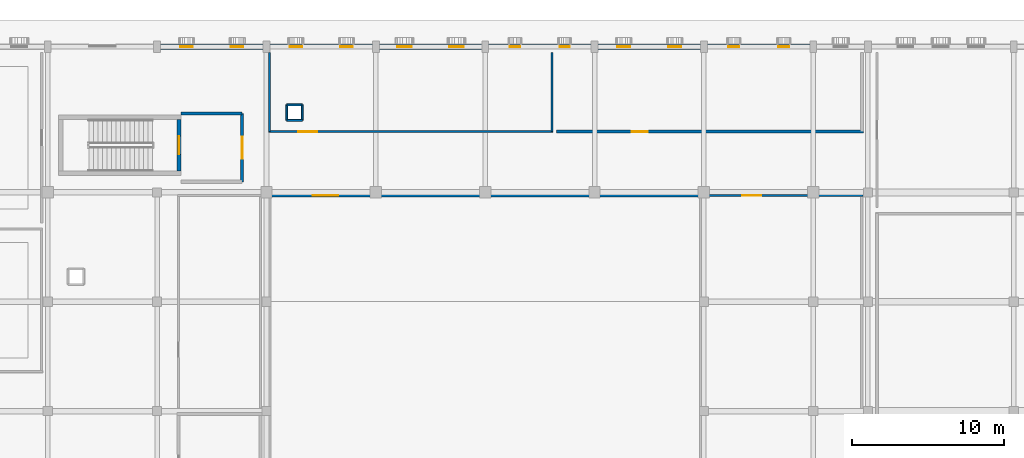
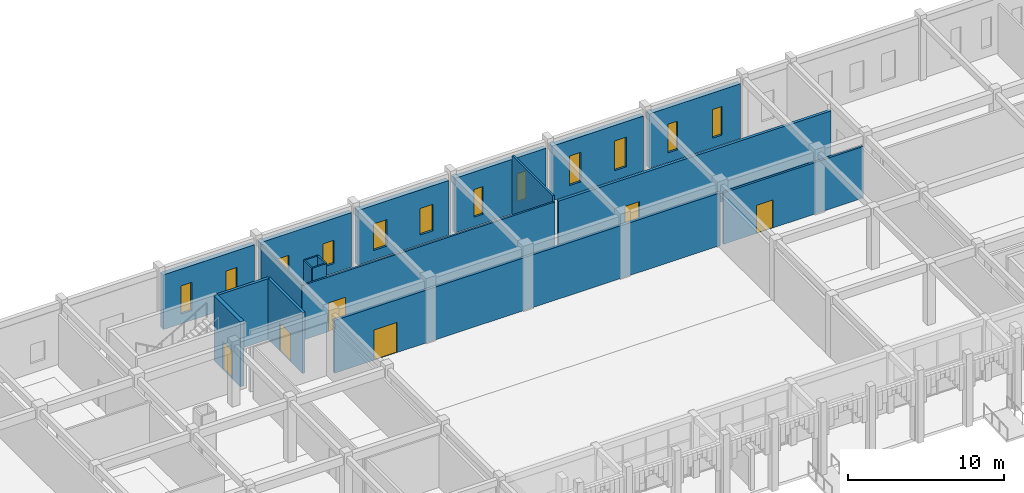
# One storey, part 40 of 72: 19 walls, 12 windows, 6 doors, 18 openings.
"""IFC4 building model written with IfcOpenShell, lengths in metres."""

import ifcopenshell
import ifcopenshell.guid

model = None  # the IFC model being written
_history = None  # IfcOwnerHistory: only IFC2X3 demands one
_inside = {}  # id of a spatial element -> (the spatial element, [elements in it])
_under = {}  # id of a project, library or spatial element -> (it, [spatial elements below it])
_declared = {}  # id of a project -> (the project, [libraries it declares])
_typed = {}  # id of a type object -> (the type object, [elements of that type])
_made_of = {}  # id of a material, layer set ... -> (it, [elements and type objects made of it])


def new_model(schema):
    """Start an empty IFC model of exactly this schema.

    Asked for "IFC4X3", IfcOpenShell would pick the latest addendum, in which some entities
    have other attributes; the version numbers below select the first issue.
    IFC2X3 requires an IfcOwnerHistory on every rooted entity: one is made here for all.
    """
    global model, _history
    if schema == "IFC4X3":
        model = ifcopenshell.file(schema_version=(4, 3, 0, 0))
    else:
        model = ifcopenshell.file(schema=schema)
    _inside.clear()
    _under.clear()
    _declared.clear()
    _typed.clear()
    _made_of.clear()
    _history = None
    if model.schema == "IFC2X3":
        org = make("IfcOrganization", Name="unknown")
        user = make(
            "IfcPersonAndOrganization",
            ThePerson=make("IfcPerson", FamilyName="unknown"),
            TheOrganization=org,
        )
        app = make(
            "IfcApplication",
            ApplicationDeveloper=org,
            Version="unknown",
            ApplicationFullName="unknown",
            ApplicationIdentifier="unknown",
        )
        _history = make(
            "IfcOwnerHistory",
            OwningUser=user,
            OwningApplication=app,
            ChangeAction="ADDED",
            CreationDate=0,
        )
    return model


def make(cls, **values):
    """One entity of the class cls with the attributes given. An attribute that is None is left unset."""
    return model.create_entity(
        cls, **{name: value for name, value in values.items() if value is not None}
    )


def rooted(cls, **values):
    """An entity with a GlobalId (a new one), such as an element, a storey or a relation."""
    return make(cls, GlobalId=ifcopenshell.guid.new(), OwnerHistory=_history, **values)


def si_unit(unit_type, name, prefix=None):
    """IfcSIUnit, for example si_unit("LENGTHUNIT", "METRE", prefix="MILLI")."""
    return make("IfcSIUnit", UnitType=unit_type, Prefix=prefix, Name=name)


def assignment(units):
    """IfcUnitAssignment: the units of a project."""
    return None if units is None else make("IfcUnitAssignment", Units=units)


def point(xyz):
    """IfcCartesianPoint."""
    return None if xyz is None else make("IfcCartesianPoint", Coordinates=xyz)


def direction(xyz):
    """IfcDirection."""
    return None if xyz is None else make("IfcDirection", DirectionRatios=xyz)


def frame(location, z_axis=None, x_axis=None):
    """IfcAxis2Placement3D, a coordinate frame: its origin and axes. An axis left out is left unset."""
    return make(
        "IfcAxis2Placement3D",
        Location=point(location),
        Axis=direction(z_axis),
        RefDirection=direction(x_axis),
    )


def frame_2d(location, x_axis=None):
    """IfcAxis2Placement2D, a coordinate frame in the plane: its origin and x axis."""
    return make(
        "IfcAxis2Placement2D", Location=point(location), RefDirection=direction(x_axis)
    )


def origin():
    """The frame at (0, 0, 0) with its axes left unset."""
    return frame((0.0, 0.0, 0.0))


def place(relative_to, where):
    """IfcLocalPlacement: puts the frame where relative to a parent placement (None: the world)."""
    return make(
        "IfcLocalPlacement", PlacementRelTo=relative_to, RelativePlacement=where
    )


def context(
    kind, dimensions, precision=None, world=None, true_north=None, identifier=None
):
    """IfcGeometricRepresentationContext, for example the 3D "Model" context."""
    return make(
        "IfcGeometricRepresentationContext",
        ContextIdentifier=identifier,
        ContextType=kind,
        CoordinateSpaceDimension=dimensions,
        Precision=precision,
        WorldCoordinateSystem=world,
        TrueNorth=true_north,
    )


def subcontext(parent, identifier, kind, view, scale=None):
    """IfcGeometricRepresentationSubContext, for example "Body" below "Model"."""
    return make(
        "IfcGeometricRepresentationSubContext",
        ContextIdentifier=identifier,
        ContextType=kind,
        ParentContext=parent,
        TargetScale=scale,
        TargetView=view,
    )


def project(units=None, contexts=None):
    """IfcProject with its units and contexts."""
    return rooted(
        "IfcProject",
        Name="project",
        RepresentationContexts=contexts,
        UnitsInContext=assignment(units),
    )


def spatial(cls, under=None, at=None, **own):
    """A site, building, storey or space (cls), placed at a placement, below another one or the project."""
    s = rooted(cls, ObjectPlacement=at, **own)
    if under is not None:
        _under.setdefault(under.id(), (under, []))[1].append(s)
    return s


def profile(cls, at=None, kind="AREA", **sizes):
    """A parametric profile (cls). Its sizes go by their IFC names, for example OverallWidth=200.0."""
    return make(cls, ProfileType=kind, Position=at, **sizes)


def rectangle(**sizes):
    """IfcRectangleProfileDef."""
    return profile("IfcRectangleProfileDef", **sizes)


def extrude(swept, where, along, depth):
    """IfcExtrudedAreaSolid: the profile swept, set in the frame where, extruded along a direction by depth."""
    return make(
        "IfcExtrudedAreaSolid",
        SweptArea=swept,
        Position=where,
        ExtrudedDirection=direction(along),
        Depth=depth,
    )


def shape(context_of_items, identifier, shape_type, items):
    """IfcShapeRepresentation: the items that make up one representation, for example the "Body"."""
    return make(
        "IfcShapeRepresentation",
        ContextOfItems=context_of_items,
        RepresentationIdentifier=identifier,
        RepresentationType=shape_type,
        Items=items,
    )


def material(Name=None, Category=None):
    """IfcMaterial."""
    return make("IfcMaterial", Name=Name, Category=Category)


def layer(
    of_material, thickness, ventilated=None, Name=None, Category=None, Priority=None
):
    """IfcMaterialLayer: one layer of a wall or slab, of a material (None: an air gap)."""
    return make(
        "IfcMaterialLayer",
        Material=of_material,
        LayerThickness=thickness,
        IsVentilated=ventilated,
        Name=Name,
        Category=Category,
        Priority=Priority,
    )


def layer_set(layers, Name=None):
    """IfcMaterialLayerSet."""
    return make("IfcMaterialLayerSet", MaterialLayers=layers, LayerSetName=Name)


def made_of(thing, what):
    """Note that an element or type object is made of a material, layer set ...; save() writes the relation."""
    if what is not None:
        _made_of.setdefault(what.id(), (what, []))[1].append(thing)
    return thing


def type_object(cls, material=None, **own):
    """A type object (cls), such as IfcWallType, which elements share."""
    return made_of(rooted(cls, **own), material)


def element(
    cls,
    number,
    at=None,
    inside=None,
    cuts=None,
    type_object=None,
    material=None,
    context=None,
    identifier="Body",
    shape_type=None,
    held_by="IfcProductDefinitionShape",
    body=None,
    shapes=None,
    **own,
):
    """One element of the class cls, such as IfcWall. Its Tag is "e" and its number.

    at: its placement. inside: the storey or other place that contains it. cuts: it is an
    opening in that element (IfcRelVoidsElement). A single representation is given by context,
    identifier, shape_type and body (its items); several are given by shapes. held_by: the class
    of the entity that holds the representations. save() writes the other relations.
    """
    e = rooted(cls, Tag="e%d" % number, ObjectPlacement=at, **own)
    if body is not None:
        shapes = [shape(context, identifier, shape_type, body)]
    if shapes is not None:
        e.Representation = make(held_by, Representations=shapes)
    if inside is not None:
        _inside.setdefault(inside.id(), (inside, []))[1].append(e)
    if cuts is not None:
        rooted(
            "IfcRelVoidsElement", RelatingBuildingElement=cuts, RelatedOpeningElement=e
        )
    if type_object is not None:
        _typed.setdefault(type_object.id(), (type_object, []))[1].append(e)
    return made_of(e, material)


def fill(opening, filler):
    """IfcRelFillsElement: the door or window that sits in an opening."""
    return rooted(
        "IfcRelFillsElement",
        RelatingOpeningElement=opening,
        RelatedBuildingElement=filler,
    )


def aggregate(whole, parts):
    """IfcRelAggregates: a whole, such as a stair, and the parts it consists of."""
    return rooted("IfcRelAggregates", RelatingObject=whole, RelatedObjects=parts)


def save(model, path):
    """Write the relations noted so far, then the file.

    IfcRelAggregates (storeys below a building ...), IfcRelContainedInSpatialStructure (elements
    in a storey), IfcRelDefinesByType, IfcRelAssociatesMaterial and IfcRelDeclares: one each for
    every whole, place, type object, material and project.
    """
    for whole, parts in _under.values():
        aggregate(whole, parts)
    for where, things in _inside.values():
        rooted(
            "IfcRelContainedInSpatialStructure",
            RelatedElements=things,
            RelatingStructure=where,
        )
    for kind, things in _typed.values():
        rooted("IfcRelDefinesByType", RelatedObjects=things, RelatingType=kind)
    for what, things in _made_of.values():
        rooted("IfcRelAssociatesMaterial", RelatedObjects=things, RelatingMaterial=what)
    for by, libraries in _declared.values():
        rooted("IfcRelDeclares", RelatingContext=by, RelatedDefinitions=libraries)
    model.write(path)


model = new_model("IFC4")

# Units and contexts
model_context = context("Model", 3, precision=1e-05, world=origin(), true_north=direction((0.0, 1.0)))
body_context = subcontext(model_context, "Body", "Model", "MODEL_VIEW")
ifc_project = project(units=[si_unit("LENGTHUNIT", "METRE"), si_unit("AREAUNIT", "SQUARE_METRE"), si_unit("VOLUMEUNIT", "CUBIC_METRE"), si_unit("PLANEANGLEUNIT", "RADIAN"), si_unit("MASSUNIT", "GRAM", prefix="KILO")], contexts=[model_context])

# Site, building, storey
site_placement = place(None, origin())
site = spatial("IfcSite", under=ifc_project, at=site_placement, CompositionType="ELEMENT")
building_placement = place(site_placement, origin())
building = spatial("IfcBuilding", under=site, at=building_placement, Name="Nzembalo Square Collegiate School", CompositionType="ELEMENT")
storey_placement = place(building_placement, origin())
storey = spatial("IfcBuildingStorey", under=building, at=storey_placement, Name="L00", CompositionType="ELEMENT", Elevation=0.0)

# Wall, opening, door
ifc_material_1 = material(Name="Concrete C35/45", Category="concrete")
ifc_layer_1 = layer(ifc_material_1, 0.280029296875, Name="Concrete C35/45")
ifc_layer_set_1 = layer_set([ifc_layer_1], Name="Concrete C35/45")
wall_type_1 = type_object("IfcWallType", Name="SW03", PredefinedType="SHEAR", material=ifc_layer_set_1)
wall_1_placement = place(storey_placement, frame((85.43994140625, 105.800048828125, 0.0), z_axis=(0.0, 0.0, 1.0), x_axis=(0.0, 1.0, 0.0)))
wall_1 = element("IfcWall", 1, at=wall_1_placement, inside=storey, type_object=wall_type_1, Name="Core C3 stair shear wall E L00", PredefinedType="SHEAR", context=body_context, shape_type="SweptSolid", body=[
    extrude(rectangle(XDim=3.39990234375, YDim=0.280029296875, at=frame_2d((1.699951171875, 0.0))), origin(), (0.0, 0.0, 1.0), 5.10009765625),
])
opening_1_placement = place(wall_1_placement, frame((1.10009765625, 0.0, 0.0)))
opening_1 = element("IfcOpeningElement", 2, at=opening_1_placement, cuts=wall_1, Name="Opening FD-023", PredefinedType="OPENING", context=body_context, shape_type="SweptSolid", body=[
    extrude(rectangle(XDim=1.199951171875, YDim=2.199951171875, at=frame_2d((0.60009765625, 1.10009765625))), frame((0.0, 0.14990234375, 0.0), z_axis=(0.0, -1.0, 0.0), x_axis=(1.0, 0.0, 0.0)), (0.0, 0.0, 1.0), 0.300048828125),
])
ifc_material_2 = material(Name="Fire-rated steel acoustic door", Category="steel")
door_type_1 = type_object("IfcDoorType", Name="FD01", OperationType="NOTDEFINED", PredefinedType="DOOR", material=ifc_material_2)
door_1_placement = place(opening_1_placement, frame((1.199951171875, 0.0, 0.0), z_axis=(0.0, 0.0, 1.0), x_axis=(-1.0, 0.0, 0.0)))
door_1 = element("IfcDoor", 3, at=door_1_placement, inside=storey, type_object=door_type_1, Name="Stair fire door FD-023", OperationType="SINGLE_SWING_LEFT", OverallHeight=2.199951171875, OverallWidth=1.199951171875, PredefinedType="DOOR", context=body_context, shape_type="SweptSolid", body=[
    extrude(rectangle(XDim=1.199951171875, YDim=2.199951171875, at=frame_2d((0.60009765625, 1.10009765625))), frame((0.0, 0.02490234375, 0.0), z_axis=(0.0, -1.0, 0.0), x_axis=(1.0, 0.0, 0.0)), (0.0, 0.0, 1.0), 0.050048828125),
])
fill(opening_1, door_1)

# Wall, openings, windows
ifc_material_3 = material(Name="Concrete C35/45", Category="concrete")
ifc_layer_2 = layer(ifc_material_3, 0.360107421875, Name="Concrete C35/45")
ifc_layer_set_2 = layer_set([ifc_layer_2], Name="Concrete C35/45")
wall_type_2 = type_object("IfcWallType", Name="W01", PredefinedType="SOLIDWALL", material=ifc_layer_set_2)
wall_2_placement = place(storey_placement, frame((84.22705078125, 114.0, 0.0), z_axis=(0.0, 0.0, 1.0), x_axis=(1.0, 0.0, 0.0)))
wall_2 = element("IfcWall", 4, at=wall_2_placement, inside=storey, type_object=wall_type_2, Name="Exterior wall W01 L00", PredefinedType="SOLIDWALL", context=body_context, shape_type="SweptSolid", body=[
    extrude(rectangle(XDim=6.745849609375, YDim=0.360107421875, at=frame_2d((3.373046875, 0.0))), origin(), (0.0, 0.0, 1.0), 4.283935546875),
])
opening_2_placement = place(wall_2_placement, frame((1.29150390625, 0.0, 0.75)))
opening_2 = element("IfcOpeningElement", 5, at=opening_2_placement, cuts=wall_2, Name="Opening WN-L00-110", PredefinedType="OPENING", context=body_context, shape_type="SweptSolid", body=[
    extrude(rectangle(XDim=0.820068359375, YDim=2.219970703125, at=frame_2d((0.41015625, 1.10986328125))), frame((0.0, 0.18994140625, 0.0), z_axis=(0.0, -1.0, 0.0), x_axis=(1.0, 0.0, 0.0)), (0.0, 0.0, 1.0), 0.380126953125),
])
opening_3_placement = place(wall_2_placement, frame((4.634521484375, 0.0, 0.75)))
opening_3 = element("IfcOpeningElement", 6, at=opening_3_placement, cuts=wall_2, Name="Opening WN-L00-111", PredefinedType="OPENING", context=body_context, shape_type="SweptSolid", body=[
    extrude(rectangle(XDim=0.820068359375, YDim=2.219970703125, at=frame_2d((0.41015625, 1.10986328125))), frame((0.0, 0.18994140625, 0.0), z_axis=(0.0, -1.0, 0.0), x_axis=(1.0, 0.0, 0.0)), (0.0, 0.0, 1.0), 0.380126953125),
])
ifc_material_4 = material(Name="Powder-coated aluminium and low-E double glazing", Category="aluminium")
window_type_1 = type_object("IfcWindowType", Name="WN37", PartitioningType="SINGLE_PANEL", PredefinedType="WINDOW", material=ifc_material_4)
window_1_placement = place(opening_2_placement, origin())
window_1 = element("IfcWindow", 7, at=window_1_placement, inside=storey, type_object=window_type_1, Name="Lancet window WN-L00-110", OverallHeight=2.219970703125, OverallWidth=0.820068359375, PartitioningType="SINGLE_PANEL", PredefinedType="WINDOW", context=body_context, shape_type="SweptSolid", body=[
    extrude(rectangle(XDim=0.820068359375, YDim=2.219970703125, at=frame_2d((0.41015625, 1.10986328125))), frame((0.0, 0.030029296875, 0.0), z_axis=(0.0, -1.0, 0.0), x_axis=(1.0, 0.0, 0.0)), (0.0, 0.0, 1.0), 0.06005859375),
])
fill(opening_2, window_1)
window_2_placement = place(opening_3_placement, origin())
window_2 = element("IfcWindow", 8, at=window_2_placement, inside=storey, type_object=window_type_1, Name="Lancet window WN-L00-111", OverallHeight=2.219970703125, OverallWidth=0.820068359375, PartitioningType="SINGLE_PANEL", PredefinedType="WINDOW", context=body_context, shape_type="SweptSolid", body=[
    extrude(rectangle(XDim=0.820068359375, YDim=2.219970703125, at=frame_2d((0.41015625, 1.10986328125))), frame((0.0, 0.030029296875, 0.0), z_axis=(0.0, -1.0, 0.0), x_axis=(1.0, 0.0, 0.0)), (0.0, 0.0, 1.0), 0.06005859375),
])
fill(opening_3, window_2)

wall_3_placement = place(storey_placement, frame((98.626953125, 114.0, 0.0), z_axis=(0.0, 0.0, 1.0), x_axis=(1.0, 0.0, 0.0)))
wall_3 = element("IfcWall", 9, at=wall_3_placement, inside=storey, type_object=wall_type_2, Name="Exterior wall W01 L00", PredefinedType="SOLIDWALL", context=body_context, shape_type="SweptSolid", body=[
    extrude(rectangle(XDim=6.74609375, YDim=0.360107421875, at=frame_2d((3.373046875, 0.0))), origin(), (0.0, 0.0, 1.0), 4.283935546875),
])
opening_4_placement = place(wall_3_placement, frame((1.17138671875, 0.0, 0.75)))
opening_4 = element("IfcOpeningElement", 10, at=opening_4_placement, cuts=wall_3, Name="Opening WN-L00-114", PredefinedType="OPENING", context=body_context, shape_type="SweptSolid", body=[
    extrude(rectangle(XDim=0.97998046875, YDim=2.080078125, at=frame_2d((0.489990234375, 1.0400390625))), frame((0.0, 0.18994140625, 0.0), z_axis=(0.0, -1.0, 0.0), x_axis=(1.0, 0.0, 0.0)), (0.0, 0.0, 1.0), 0.380126953125),
])
opening_5_placement = place(wall_3_placement, frame((4.594482421875, 0.0, 0.75)))
opening_5 = element("IfcOpeningElement", 11, at=opening_5_placement, cuts=wall_3, Name="Opening WN-L00-115", PredefinedType="OPENING", context=body_context, shape_type="SweptSolid", body=[
    extrude(rectangle(XDim=0.97998046875, YDim=2.080078125, at=frame_2d((0.489990234375, 1.0400390625))), frame((0.0, 0.18994140625, 0.0), z_axis=(0.0, -1.0, 0.0), x_axis=(1.0, 0.0, 0.0)), (0.0, 0.0, 1.0), 0.380126953125),
])
ifc_material_5 = material(Name="Powder-coated aluminium and low-E double glazing", Category="aluminium")
window_type_2 = type_object("IfcWindowType", Name="WN41", PartitioningType="SINGLE_PANEL", PredefinedType="WINDOW", material=ifc_material_5)
window_3_placement = place(opening_4_placement, origin())
window_3 = element("IfcWindow", 12, at=window_3_placement, inside=storey, type_object=window_type_2, Name="Lancet window WN-L00-114", OverallHeight=2.080078125, OverallWidth=0.97998046875, PartitioningType="SINGLE_PANEL", PredefinedType="WINDOW", context=body_context, shape_type="SweptSolid", body=[
    extrude(rectangle(XDim=0.97998046875, YDim=2.080078125, at=frame_2d((0.489990234375, 1.0400390625))), frame((0.0, 0.030029296875, 0.0), z_axis=(0.0, -1.0, 0.0), x_axis=(1.0, 0.0, 0.0)), (0.0, 0.0, 1.0), 0.06005859375),
])
fill(opening_4, window_3)
window_4_placement = place(opening_5_placement, origin())
window_4 = element("IfcWindow", 13, at=window_4_placement, inside=storey, type_object=window_type_2, Name="Lancet window WN-L00-115", OverallHeight=2.080078125, OverallWidth=0.97998046875, PartitioningType="SINGLE_PANEL", PredefinedType="WINDOW", context=body_context, shape_type="SweptSolid", body=[
    extrude(rectangle(XDim=0.97998046875, YDim=2.080078125, at=frame_2d((0.489990234375, 1.0400390625))), frame((0.0, 0.030029296875, 0.0), z_axis=(0.0, -1.0, 0.0), x_axis=(1.0, 0.0, 0.0)), (0.0, 0.0, 1.0), 0.06005859375),
])
fill(opening_5, window_4)

wall_4_placement = place(storey_placement, frame((113.027099609375, 114.0, 0.0), z_axis=(0.0, 0.0, 1.0), x_axis=(1.0, 0.0, 0.0)))
wall_4 = element("IfcWall", 14, at=wall_4_placement, inside=storey, type_object=wall_type_2, Name="Exterior wall W01 L00", PredefinedType="SOLIDWALL", context=body_context, shape_type="SweptSolid", body=[
    extrude(rectangle(XDim=6.745849609375, YDim=0.360107421875, at=frame_2d((3.373046875, 0.0))), origin(), (0.0, 0.0, 1.0), 4.283935546875),
])
opening_6_placement = place(wall_4_placement, frame((1.261474609375, 0.0, 0.75)))
opening_6 = element("IfcOpeningElement", 15, at=opening_6_placement, cuts=wall_4, Name="Opening WN-L00-134", PredefinedType="OPENING", context=body_context, shape_type="SweptSolid", body=[
    extrude(rectangle(XDim=0.860107421875, YDim=2.320068359375, at=frame_2d((0.43017578125, 1.16015625))), frame((0.0, 0.18994140625, 0.0), z_axis=(0.0, -1.0, 0.0), x_axis=(1.0, 0.0, 0.0)), (0.0, 0.0, 1.0), 0.380126953125),
])
opening_7_placement = place(wall_4_placement, frame((4.62451171875, 0.0, 0.75)))
opening_7 = element("IfcOpeningElement", 16, at=opening_7_placement, cuts=wall_4, Name="Opening WN-L00-135", PredefinedType="OPENING", context=body_context, shape_type="SweptSolid", body=[
    extrude(rectangle(XDim=0.860107421875, YDim=2.320068359375, at=frame_2d((0.43017578125, 1.16015625))), frame((0.0, 0.18994140625, 0.0), z_axis=(0.0, -1.0, 0.0), x_axis=(1.0, 0.0, 0.0)), (0.0, 0.0, 1.0), 0.380126953125),
])
ifc_material_6 = material(Name="Powder-coated aluminium and low-E double glazing", Category="aluminium")
window_type_3 = type_object("IfcWindowType", Name="WN61", PartitioningType="SINGLE_PANEL", PredefinedType="WINDOW", material=ifc_material_6)
window_5_placement = place(opening_6_placement, origin())
window_5 = element("IfcWindow", 17, at=window_5_placement, inside=storey, type_object=window_type_3, Name="Lancet window WN-L00-134", OverallHeight=2.320068359375, OverallWidth=0.860107421875, PartitioningType="SINGLE_PANEL", PredefinedType="WINDOW", context=body_context, shape_type="SweptSolid", body=[
    extrude(rectangle(XDim=0.860107421875, YDim=2.320068359375, at=frame_2d((0.43017578125, 1.16015625))), frame((0.0, 0.030029296875, 0.0), z_axis=(0.0, -1.0, 0.0), x_axis=(1.0, 0.0, 0.0)), (0.0, 0.0, 1.0), 0.06005859375),
])
fill(opening_6, window_5)
window_6_placement = place(opening_7_placement, origin())
window_6 = element("IfcWindow", 18, at=window_6_placement, inside=storey, type_object=window_type_3, Name="Lancet window WN-L00-135", OverallHeight=2.320068359375, OverallWidth=0.860107421875, PartitioningType="SINGLE_PANEL", PredefinedType="WINDOW", context=body_context, shape_type="SweptSolid", body=[
    extrude(rectangle(XDim=0.860107421875, YDim=2.320068359375, at=frame_2d((0.43017578125, 1.16015625))), frame((0.0, 0.030029296875, 0.0), z_axis=(0.0, -1.0, 0.0), x_axis=(1.0, 0.0, 0.0)), (0.0, 0.0, 1.0), 0.06005859375),
])
fill(opening_7, window_6)

ifc_material_7 = material(Name="Concrete C35/45", Category="concrete")
ifc_layer_3 = layer(ifc_material_7, 0.340087890625, Name="Concrete C35/45")
ifc_layer_set_3 = layer_set([ifc_layer_3], Name="Concrete C35/45")
wall_type_3 = type_object("IfcWallType", Name="W02", PredefinedType="SOLIDWALL", material=ifc_layer_set_3)
wall_5_placement = place(storey_placement, frame((91.427001953125, 114.0, 0.0), z_axis=(0.0, 0.0, 1.0), x_axis=(1.0, 0.0, 0.0)))
wall_5 = element("IfcWall", 19, at=wall_5_placement, inside=storey, type_object=wall_type_3, Name="Exterior wall W02 L00", PredefinedType="SOLIDWALL", context=body_context, shape_type="SweptSolid", body=[
    extrude(rectangle(XDim=6.74609375, YDim=0.340087890625, at=frame_2d((3.373046875, 0.0))), origin(), (0.0, 0.0, 1.0), 4.283935546875),
])
opening_8_placement = place(wall_5_placement, frame((1.29150390625, 0.0, 0.75)))
opening_8 = element("IfcOpeningElement", 20, at=opening_8_placement, cuts=wall_5, Name="Opening WN-L00-112", PredefinedType="OPENING", context=body_context, shape_type="SweptSolid", body=[
    extrude(rectangle(XDim=0.820068359375, YDim=1.820068359375, at=frame_2d((0.41015625, 0.91015625))), frame((0.0, 0.18017578125, 0.0), z_axis=(0.0, -1.0, 0.0), x_axis=(1.0, 0.0, 0.0)), (0.0, 0.0, 1.0), 0.360107421875),
])
opening_9_placement = place(wall_5_placement, frame((4.634521484375, 0.0, 0.75)))
opening_9 = element("IfcOpeningElement", 21, at=opening_9_placement, cuts=wall_5, Name="Opening WN-L00-113", PredefinedType="OPENING", context=body_context, shape_type="SweptSolid", body=[
    extrude(rectangle(XDim=0.820068359375, YDim=1.820068359375, at=frame_2d((0.41015625, 0.91015625))), frame((0.0, 0.18017578125, 0.0), z_axis=(0.0, -1.0, 0.0), x_axis=(1.0, 0.0, 0.0)), (0.0, 0.0, 1.0), 0.360107421875),
])
ifc_material_8 = material(Name="Powder-coated aluminium and low-E double glazing", Category="aluminium")
window_type_4 = type_object("IfcWindowType", Name="WN39", PartitioningType="SINGLE_PANEL", PredefinedType="WINDOW", material=ifc_material_8)
window_7_placement = place(opening_8_placement, origin())
window_7 = element("IfcWindow", 22, at=window_7_placement, inside=storey, type_object=window_type_4, Name="Lancet window WN-L00-112", OverallHeight=1.820068359375, OverallWidth=0.820068359375, PartitioningType="SINGLE_PANEL", PredefinedType="WINDOW", context=body_context, shape_type="SweptSolid", body=[
    extrude(rectangle(XDim=0.820068359375, YDim=1.820068359375, at=frame_2d((0.41015625, 0.91015625))), frame((0.0, 0.030029296875, 0.0), z_axis=(0.0, -1.0, 0.0), x_axis=(1.0, 0.0, 0.0)), (0.0, 0.0, 1.0), 0.06005859375),
])
fill(opening_8, window_7)
window_8_placement = place(opening_9_placement, origin())
window_8 = element("IfcWindow", 23, at=window_8_placement, inside=storey, type_object=window_type_4, Name="Lancet window WN-L00-113", OverallHeight=1.820068359375, OverallWidth=0.820068359375, PartitioningType="SINGLE_PANEL", PredefinedType="WINDOW", context=body_context, shape_type="SweptSolid", body=[
    extrude(rectangle(XDim=0.820068359375, YDim=1.820068359375, at=frame_2d((0.41015625, 0.91015625))), frame((0.0, 0.030029296875, 0.0), z_axis=(0.0, -1.0, 0.0), x_axis=(1.0, 0.0, 0.0)), (0.0, 0.0, 1.0), 0.06005859375),
])
fill(opening_9, window_8)

wall_6_placement = place(storey_placement, frame((105.826904296875, 114.0, 0.0), z_axis=(0.0, 0.0, 1.0), x_axis=(1.0, 0.0, 0.0)))
wall_6 = element("IfcWall", 24, at=wall_6_placement, inside=storey, type_object=wall_type_3, Name="Exterior wall W02 L00", PredefinedType="SOLIDWALL", context=body_context, shape_type="SweptSolid", body=[
    extrude(rectangle(XDim=6.74609375, YDim=0.340087890625, at=frame_2d((3.373046875, 0.0))), origin(), (0.0, 0.0, 1.0), 4.283935546875),
])
opening_10_placement = place(wall_6_placement, frame((1.396484375, 0.0, 0.75)))
opening_10 = element("IfcOpeningElement", 25, at=opening_10_placement, cuts=wall_6, Name="Opening WN-L00-132", PredefinedType="OPENING", context=body_context, shape_type="SweptSolid", body=[
    extrude(rectangle(XDim=0.679931640625, YDim=2.159912109375, at=frame_2d((0.33984375, 1.080078125))), frame((0.0, 0.18017578125, 0.0), z_axis=(0.0, -1.0, 0.0), x_axis=(1.0, 0.0, 0.0)), (0.0, 0.0, 1.0), 0.360107421875),
])
opening_11_placement = place(wall_6_placement, frame((4.66943359375, 0.0, 0.75)))
opening_11 = element("IfcOpeningElement", 26, at=opening_11_placement, cuts=wall_6, Name="Opening WN-L00-133", PredefinedType="OPENING", context=body_context, shape_type="SweptSolid", body=[
    extrude(rectangle(XDim=0.679931640625, YDim=2.159912109375, at=frame_2d((0.33984375, 1.080078125))), frame((0.0, 0.18017578125, 0.0), z_axis=(0.0, -1.0, 0.0), x_axis=(1.0, 0.0, 0.0)), (0.0, 0.0, 1.0), 0.360107421875),
])
ifc_material_9 = material(Name="Powder-coated aluminium and low-E double glazing", Category="aluminium")
window_type_5 = type_object("IfcWindowType", Name="WN59", PartitioningType="SINGLE_PANEL", PredefinedType="WINDOW", material=ifc_material_9)
window_9_placement = place(opening_10_placement, origin())
window_9 = element("IfcWindow", 27, at=window_9_placement, inside=storey, type_object=window_type_5, Name="Lancet window WN-L00-132", OverallHeight=2.159912109375, OverallWidth=0.679931640625, PartitioningType="SINGLE_PANEL", PredefinedType="WINDOW", context=body_context, shape_type="SweptSolid", body=[
    extrude(rectangle(XDim=0.679931640625, YDim=2.159912109375, at=frame_2d((0.33984375, 1.080078125))), frame((0.0, 0.030029296875, 0.0), z_axis=(0.0, -1.0, 0.0), x_axis=(1.0, 0.0, 0.0)), (0.0, 0.0, 1.0), 0.06005859375),
])
fill(opening_10, window_9)
window_10_placement = place(opening_11_placement, origin())
window_10 = element("IfcWindow", 28, at=window_10_placement, inside=storey, type_object=window_type_5, Name="Lancet window WN-L00-133", OverallHeight=2.159912109375, OverallWidth=0.679931640625, PartitioningType="SINGLE_PANEL", PredefinedType="WINDOW", context=body_context, shape_type="SweptSolid", body=[
    extrude(rectangle(XDim=0.679931640625, YDim=2.159912109375, at=frame_2d((0.33984375, 1.080078125))), frame((0.0, 0.030029296875, 0.0), z_axis=(0.0, -1.0, 0.0), x_axis=(1.0, 0.0, 0.0)), (0.0, 0.0, 1.0), 0.06005859375),
])
fill(opening_11, window_10)

wall_7_placement = place(storey_placement, frame((120.22705078125, 114.0, 0.0), z_axis=(0.0, 0.0, 1.0), x_axis=(1.0, 0.0, 0.0)))
wall_7 = element("IfcWall", 29, at=wall_7_placement, inside=storey, type_object=wall_type_3, Name="Exterior wall W02 L00", PredefinedType="SOLIDWALL", context=body_context, shape_type="SweptSolid", body=[
    extrude(rectangle(XDim=6.745849609375, YDim=0.340087890625, at=frame_2d((3.373046875, 0.0))), origin(), (0.0, 0.0, 1.0), 4.283935546875),
])
opening_12_placement = place(wall_7_placement, frame((1.366455078125, 0.0, 0.75)))
opening_12 = element("IfcOpeningElement", 30, at=opening_12_placement, cuts=wall_7, Name="Opening WN-L00-140", PredefinedType="OPENING", context=body_context, shape_type="SweptSolid", body=[
    extrude(rectangle(XDim=0.719970703125, YDim=2.239990234375, at=frame_2d((0.35986328125, 1.1201171875))), frame((0.0, 0.18017578125, 0.0), z_axis=(0.0, -1.0, 0.0), x_axis=(1.0, 0.0, 0.0)), (0.0, 0.0, 1.0), 0.360107421875),
])
opening_13_placement = place(wall_7_placement, frame((4.659423828125, 0.0, 0.75)))
opening_13 = element("IfcOpeningElement", 31, at=opening_13_placement, cuts=wall_7, Name="Opening WN-L00-141", PredefinedType="OPENING", context=body_context, shape_type="SweptSolid", body=[
    extrude(rectangle(XDim=0.719970703125, YDim=2.239990234375, at=frame_2d((0.35986328125, 1.1201171875))), frame((0.0, 0.18017578125, 0.0), z_axis=(0.0, -1.0, 0.0), x_axis=(1.0, 0.0, 0.0)), (0.0, 0.0, 1.0), 0.360107421875),
])
ifc_material_10 = material(Name="Powder-coated aluminium and low-E double glazing", Category="aluminium")
window_type_6 = type_object("IfcWindowType", Name="WN67", PartitioningType="SINGLE_PANEL", PredefinedType="WINDOW", material=ifc_material_10)
window_11_placement = place(opening_12_placement, origin())
window_11 = element("IfcWindow", 32, at=window_11_placement, inside=storey, type_object=window_type_6, Name="Lancet window WN-L00-140", OverallHeight=2.239990234375, OverallWidth=0.719970703125, PartitioningType="SINGLE_PANEL", PredefinedType="WINDOW", context=body_context, shape_type="SweptSolid", body=[
    extrude(rectangle(XDim=0.719970703125, YDim=2.239990234375, at=frame_2d((0.35986328125, 1.1201171875))), frame((0.0, 0.030029296875, 0.0), z_axis=(0.0, -1.0, 0.0), x_axis=(1.0, 0.0, 0.0)), (0.0, 0.0, 1.0), 0.06005859375),
])
fill(opening_12, window_11)
window_12_placement = place(opening_13_placement, origin())
window_12 = element("IfcWindow", 33, at=window_12_placement, inside=storey, type_object=window_type_6, Name="Lancet window WN-L00-141", OverallHeight=2.239990234375, OverallWidth=0.719970703125, PartitioningType="SINGLE_PANEL", PredefinedType="WINDOW", context=body_context, shape_type="SweptSolid", body=[
    extrude(rectangle(XDim=0.719970703125, YDim=2.239990234375, at=frame_2d((0.35986328125, 1.1201171875))), frame((0.0, 0.030029296875, 0.0), z_axis=(0.0, -1.0, 0.0), x_axis=(1.0, 0.0, 0.0)), (0.0, 0.0, 1.0), 0.06005859375),
])
fill(opening_13, window_12)

# Wall, opening, door
ifc_material_11 = material(Name="Concrete blockwork C25/30", Category="masonry")
ifc_layer_4 = layer(ifc_material_11, 0.199951171875, Name="Concrete blockwork C25/30")
ifc_layer_set_4 = layer_set([ifc_layer_4], Name="Concrete blockwork C25/30")
wall_type_4 = type_object("IfcWallType", Name="W11", PredefinedType="PARTITIONING", material=ifc_layer_set_4)
wall_8_placement = place(storey_placement, frame((89.60009765625, 105.10009765625, 0.0), z_axis=(0.0, 0.0, 1.0), x_axis=(0.0, 1.0, 0.0)))
wall_8 = element("IfcWall", 34, at=wall_8_placement, inside=storey, type_object=wall_type_4, Name="Core C3 EI 60 lobby wall E L00", PredefinedType="PARTITIONING", context=body_context, shape_type="SweptSolid", body=[
    extrude(rectangle(XDim=4.5, YDim=0.199951171875, at=frame_2d((2.25, 0.0))), origin(), (0.0, 0.0, 1.0), 4.77392578125),
])
opening_14_placement = place(wall_8_placement, frame((1.52490234375, 0.0, 0.0)))
opening_14 = element("IfcOpeningElement", 35, at=opening_14_placement, cuts=wall_8, Name="Opening FD-024", PredefinedType="OPENING", context=body_context, shape_type="SweptSolid", body=[
    extrude(rectangle(XDim=1.449951171875, YDim=2.199951171875, at=frame_2d((0.72509765625, 1.10009765625))), frame((0.0, 0.10986328125, 0.0), z_axis=(0.0, -1.0, 0.0), x_axis=(1.0, 0.0, 0.0)), (0.0, 0.0, 1.0), 0.219970703125),
])
ifc_material_12 = material(Name="Fire-rated double lobby door")
door_type_2 = type_object("IfcDoorType", Name="FD02", OperationType="DOUBLE_DOOR_SINGLE_SWING", PredefinedType="DOOR", material=ifc_material_12)
door_2_placement = place(opening_14_placement, frame((1.449951171875, 0.0, 0.0), z_axis=(0.0, 0.0, 1.0), x_axis=(-1.0, 0.0, 0.0)))
door_2 = element("IfcDoor", 36, at=door_2_placement, inside=storey, type_object=door_type_2, Name="Protected lobby fire door FD-024", OperationType="DOUBLE_DOOR_SINGLE_SWING", OverallHeight=2.199951171875, OverallWidth=1.449951171875, PredefinedType="DOOR", context=body_context, shape_type="SweptSolid", body=[
    extrude(rectangle(XDim=1.449951171875, YDim=2.199951171875, at=frame_2d((0.72509765625, 1.10009765625))), frame((0.0, 0.02490234375, 0.0), z_axis=(0.0, -1.0, 0.0), x_axis=(1.0, 0.0, 0.0)), (0.0, 0.0, 1.0), 0.050048828125),
])
fill(opening_14, door_2)

# Wall
wall_9_placement = place(storey_placement, frame((85.580078125, 109.60009765625, 0.0), z_axis=(0.0, 0.0, 1.0), x_axis=(1.0, 0.0, 0.0)))
element("IfcWall", 37, at=wall_9_placement, inside=storey, type_object=wall_type_4, Name="Core C3 EI 60 lobby wall N L00", PredefinedType="PARTITIONING", context=body_context, shape_type="SweptSolid", body=[
    extrude(rectangle(XDim=4.02001953125, YDim=0.199951171875, at=frame_2d((2.010009765625, 0.0))), origin(), (0.0, 0.0, 1.0), 4.77392578125),
])

# Wall, opening, door
ifc_material_13 = material(Name="Acoustic double-board stud")
ifc_layer_5 = layer(ifc_material_13, 0.155029296875, Name="Acoustic double-board stud")
ifc_layer_set_5 = layer_set([ifc_layer_5], Name="Acoustic double-board stud")
wall_type_5 = type_object("IfcWallType", Name="W16", PredefinedType="PARTITIONING", material=ifc_layer_set_5)
wall_10_placement = place(storey_placement, frame((120.12255859375, 104.199951171875, 0.0), z_axis=(0.0, 0.0, 1.0), x_axis=(1.0, 0.0, 0.0)))
wall_10 = element("IfcWall", 38, at=wall_10_placement, inside=storey, type_object=wall_type_5, Name="Interior partition W16 L00-041-N", PredefinedType="PARTITIONING", context=body_context, shape_type="SweptSolid", body=[
    extrude(rectangle(XDim=10.35498046875, YDim=0.155029296875, at=frame_2d((5.177490234375, 0.0))), origin(), (0.0, 0.0, 1.0), 4.033935546875),
])
opening_15_placement = place(wall_10_placement, frame((2.41748046875, 0.0, 0.0)))
opening_15 = element("IfcOpeningElement", 39, at=opening_15_placement, cuts=wall_10, Name="Opening D-L00-024", PredefinedType="OPENING", context=body_context, shape_type="SweptSolid", body=[
    extrude(rectangle(XDim=1.239990234375, YDim=2.199951171875, at=frame_2d((0.6201171875, 1.10009765625))), frame((0.0, 0.08740234375, 0.0), z_axis=(0.0, -1.0, 0.0), x_axis=(1.0, 0.0, 0.0)), (0.0, 0.0, 1.0), 0.175048828125),
])
ifc_material_14 = material(Name="Glazed seminar room door")
door_type_3 = type_object("IfcDoorType", Name="D14", OperationType="NOTDEFINED", PredefinedType="DOOR", material=ifc_material_14)
door_3_placement = place(opening_15_placement, origin())
door_3 = element("IfcDoor", 40, at=door_3_placement, inside=storey, type_object=door_type_3, Name="Interior door D-L00-024 (Assembly Hall Stage and Wings)", OperationType="SINGLE_SWING_LEFT", OverallHeight=2.199951171875, OverallWidth=1.239990234375, PredefinedType="DOOR", context=body_context, shape_type="SweptSolid", body=[
    extrude(rectangle(XDim=1.239990234375, YDim=2.199951171875, at=frame_2d((0.6201171875, 1.10009765625))), frame((0.0, 0.02490234375, 0.0), z_axis=(0.0, -1.0, 0.0), x_axis=(1.0, 0.0, 0.0)), (0.0, 0.0, 1.0), 0.050048828125),
])
fill(opening_15, door_3)

ifc_material_15 = material(Name="Gypsum plasterboard stud")
ifc_layer_6 = layer(ifc_material_15, 0.139892578125, Name="Gypsum plasterboard stud")
ifc_layer_set_6 = layer_set([ifc_layer_6], Name="Gypsum plasterboard stud")
wall_type_6 = type_object("IfcWallType", Name="W18", PredefinedType="PARTITIONING", material=ifc_layer_set_6)
wall_11_placement = place(storey_placement, frame((91.330078125, 108.39990234375, 0.0), z_axis=(0.0, 0.0, 1.0), x_axis=(1.0, 0.0, 0.0)))
wall_11 = element("IfcWall", 41, at=wall_11_placement, inside=storey, type_object=wall_type_6, Name="Interior partition W18 L00-042-S", PredefinedType="PARTITIONING", context=body_context, shape_type="SweptSolid", body=[
    extrude(rectangle(XDim=18.739990234375, YDim=0.139892578125, at=frame_2d((9.3701171875, 0.0))), origin(), (0.0, 0.0, 1.0), 4.283935546875),
])
opening_16_placement = place(wall_11_placement, frame((1.964111328125, 0.0, 0.0)))
opening_16 = element("IfcOpeningElement", 42, at=opening_16_placement, cuts=wall_11, Name="Opening D-L00-025", PredefinedType="OPENING", context=body_context, shape_type="SweptSolid", body=[
    extrude(rectangle(XDim=1.260009765625, YDim=2.260009765625, at=frame_2d((0.6298828125, 1.1298828125))), frame((0.0, 0.080078125, 0.0), z_axis=(0.0, -1.0, 0.0), x_axis=(1.0, 0.0, 0.0)), (0.0, 0.0, 1.0), 0.159912109375),
])
ifc_material_16 = material(Name="High-STC acoustic music door")
door_type_4 = type_object("IfcDoorType", Name="D20", OperationType="NOTDEFINED", PredefinedType="DOOR", material=ifc_material_16)
door_4_placement = place(opening_16_placement, origin())
door_4 = element("IfcDoor", 43, at=door_4_placement, inside=storey, type_object=door_type_4, Name="Interior door D-L00-025 (Choral Rehearsal Studio)", OperationType="SINGLE_SWING_RIGHT", OverallHeight=2.260009765625, OverallWidth=1.260009765625, PredefinedType="DOOR", context=body_context, shape_type="SweptSolid", body=[
    extrude(rectangle(XDim=1.260009765625, YDim=2.260009765625, at=frame_2d((0.6298828125, 1.1298828125))), frame((0.0, 0.02490234375, 0.0), z_axis=(0.0, -1.0, 0.0), x_axis=(1.0, 0.0, 0.0)), (0.0, 0.0, 1.0), 0.050048828125),
])
fill(opening_16, door_4)

# Walls
wall_12_placement = place(storey_placement, frame((91.39990234375, 108.39990234375, 0.0), z_axis=(0.0, 0.0, 1.0), x_axis=(0.0, 1.0, 0.0)))
element("IfcWall", 44, at=wall_12_placement, inside=storey, type_object=wall_type_6, Name="Interior partition W18 L00-042-W", PredefinedType="PARTITIONING", context=body_context, shape_type="SweptSolid", body=[
    extrude(rectangle(XDim=5.2001953125, YDim=0.139892578125, at=frame_2d((2.60009765625, 0.0))), origin(), (0.0, 0.0, 1.0), 4.283935546875),
])
wall_13_placement = place(storey_placement, frame((110.0, 108.39990234375, 0.0), z_axis=(0.0, 0.0, 1.0), x_axis=(0.0, 1.0, 0.0)))
element("IfcWall", 45, at=wall_13_placement, inside=storey, type_object=wall_type_6, Name="Interior partition W18 L00-042-E", PredefinedType="PARTITIONING", context=body_context, shape_type="SweptSolid", body=[
    extrude(rectangle(XDim=5.2001953125, YDim=0.139892578125, at=frame_2d((2.60009765625, 0.0))), origin(), (0.0, 0.0, 1.0), 4.77392578125),
])

# Wall, opening, door
ifc_material_17 = material(Name="Concrete blockwork C25/30", Category="masonry")
ifc_layer_7 = layer(ifc_material_17, 0.205078125, Name="Concrete blockwork C25/30")
ifc_layer_set_7 = layer_set([ifc_layer_7], Name="Concrete blockwork C25/30")
wall_type_7 = type_object("IfcWallType", Name="W21", PredefinedType="PARTITIONING", material=ifc_layer_set_7)
wall_14_placement = place(storey_placement, frame((110.297607421875, 108.39990234375, 0.0), z_axis=(0.0, 0.0, 1.0), x_axis=(1.0, 0.0, 0.0)))
wall_14 = element("IfcWall", 46, at=wall_14_placement, inside=storey, type_object=wall_type_7, Name="Interior partition W21 L00-043-S", PredefinedType="PARTITIONING", context=body_context, shape_type="SweptSolid", body=[
    extrude(rectangle(XDim=20.204833984375, YDim=0.205078125, at=frame_2d((10.1025390625, 0.0))), origin(), (0.0, 0.0, 1.0), 4.283935546875),
])
opening_17_placement = place(wall_14_placement, frame((4.93994140625, 0.0, 0.0)))
opening_17 = element("IfcOpeningElement", 47, at=opening_17_placement, cuts=wall_14, Name="Opening D-L00-026", PredefinedType="OPENING", context=body_context, shape_type="SweptSolid", body=[
    extrude(rectangle(XDim=1.050048828125, YDim=2.14990234375, at=frame_2d((0.52490234375, 1.074951171875))), frame((0.0, 0.112548828125, 0.0), z_axis=(0.0, -1.0, 0.0), x_axis=(1.0, 0.0, 0.0)), (0.0, 0.0, 1.0), 0.22509765625),
])
ifc_material_18 = material(Name="Fire-rated steel store door", Category="steel")
door_type_5 = type_object("IfcDoorType", Name="FD03", OperationType="NOTDEFINED", PredefinedType="DOOR", material=ifc_material_18)
door_5_placement = place(opening_17_placement, origin())
door_5 = element("IfcDoor", 48, at=door_5_placement, inside=storey, type_object=door_type_5, Name="Interior door D-L00-026 (Drama Studio and Green Room)", OperationType="SINGLE_SWING_LEFT", OverallHeight=2.14990234375, OverallWidth=1.050048828125, PredefinedType="DOOR", context=body_context, shape_type="SweptSolid", body=[
    extrude(rectangle(XDim=1.050048828125, YDim=2.14990234375, at=frame_2d((0.52490234375, 1.074951171875))), frame((0.0, 0.02490234375, 0.0), z_axis=(0.0, -1.0, 0.0), x_axis=(1.0, 0.0, 0.0)), (0.0, 0.0, 1.0), 0.050048828125),
])
fill(opening_17, door_5)

ifc_material_19 = material(Name="High-mass acoustic blockwork", Category="masonry")
ifc_layer_8 = layer(ifc_material_19, 0.18505859375, Name="High-mass acoustic blockwork")
ifc_layer_set_8 = layer_set([ifc_layer_8], Name="High-mass acoustic blockwork")
wall_type_8 = type_object("IfcWallType", Name="W22", PredefinedType="PARTITIONING", material=ifc_layer_set_8)
wall_15_placement = place(storey_placement, frame((91.3076171875, 104.199951171875, 0.0), z_axis=(0.0, 0.0, 1.0), x_axis=(1.0, 0.0, 0.0)))
wall_15 = element("IfcWall", 49, at=wall_15_placement, inside=storey, type_object=wall_type_8, Name="Interior partition W22 L00-040-N", PredefinedType="PARTITIONING", context=body_context, shape_type="SweptSolid", body=[
    extrude(rectangle(XDim=28.5849609375, YDim=0.18505859375, at=frame_2d((14.29248046875, 0.0))), origin(), (0.0, 0.0, 1.0), 4.134033203125),
])
opening_18_placement = place(wall_15_placement, frame((2.924560546875, 0.0, 0.0)))
opening_18 = element("IfcOpeningElement", 50, at=opening_18_placement, cuts=wall_15, Name="Opening D-L00-023", PredefinedType="OPENING", context=body_context, shape_type="SweptSolid", body=[
    extrude(rectangle(XDim=1.679931640625, YDim=2.360107421875, at=frame_2d((0.83984375, 1.18017578125))), frame((0.0, 0.1025390625, 0.0), z_axis=(0.0, -1.0, 0.0), x_axis=(1.0, 0.0, 0.0)), (0.0, 0.0, 1.0), 0.205078125),
])
ifc_material_20 = material(Name="Double-leaf hall assembly door")
door_type_6 = type_object("IfcDoorType", Name="D05", OperationType="DOUBLE_DOOR_SINGLE_SWING", PredefinedType="DOOR", material=ifc_material_20)
door_6_placement = place(opening_18_placement, origin())
door_6 = element("IfcDoor", 51, at=door_6_placement, inside=storey, type_object=door_type_6, Name="Interior door D-L00-023 (Assembly Hall Auditorium)", OperationType="DOUBLE_DOOR_SINGLE_SWING", OverallHeight=2.360107421875, OverallWidth=1.679931640625, PredefinedType="DOOR", context=body_context, shape_type="SweptSolid", body=[
    extrude(rectangle(XDim=1.679931640625, YDim=2.360107421875, at=frame_2d((0.83984375, 1.18017578125))), frame((0.0, 0.02490234375, 0.0), z_axis=(0.0, -1.0, 0.0), x_axis=(1.0, 0.0, 0.0)), (0.0, 0.0, 1.0), 0.050048828125),
])
fill(opening_18, door_6)

# Walls
ifc_material_21 = material(Name="Fire-rated shaftwall stud")
ifc_layer_9 = layer(ifc_material_21, 0.1201171875, Name="Fire-rated shaftwall stud")
ifc_layer_set_9 = layer_set([ifc_layer_9], Name="Fire-rated shaftwall stud")
wall_type_9 = type_object("IfcWallType", Name="W23", PredefinedType="PARTITIONING", material=ifc_layer_set_9)
for number, where, z_axis, x_axis, name in (
    (52, (92.5400390625, 109.139892578125, 0.0), (0.0, 0.0, 1.0), (1.0, 0.0, 0.0), "Service riser shaftwall W23-005-1"),
    (53, (93.56005859375, 109.139892578125, 0.0), (0.0, 0.0, 1.0), (0.0, 1.0, 0.0), "Service riser shaftwall W23-005-2"),
    (54, (93.56005859375, 110.159912109375, 0.0), (0.0, 0.0, 1.0), (-1.0, 0.0, 0.0), "Service riser shaftwall W23-005-3"),
    (55, (92.5400390625, 110.159912109375, 0.0), (0.0, 0.0, 1.0), (0.0, -1.0, 0.0), "Service riser shaftwall W23-005-4"),
):
    element("IfcWall", number, at=place(storey_placement, frame(where, z_axis=z_axis, x_axis=x_axis)), inside=storey, type_object=wall_type_9, Name=name, PredefinedType="PARTITIONING", context=body_context, shape_type="SweptSolid", body=[
        extrude(rectangle(XDim=1.02001953125, YDim=0.1201171875, at=frame_2d((0.510009765625, 0.0))), origin(), (0.0, 0.0, 1.0), 4.77392578125),
    ])

save(model, "model.ifc")
